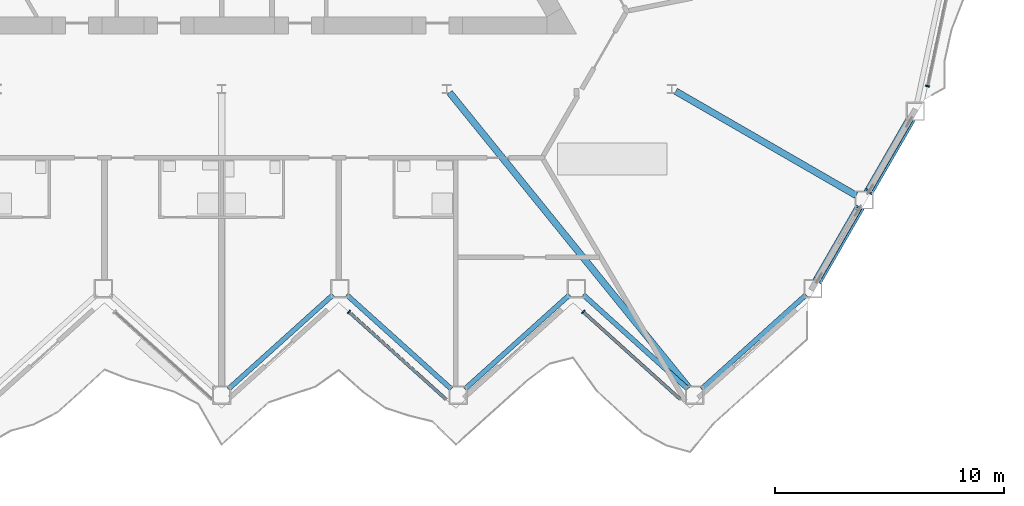
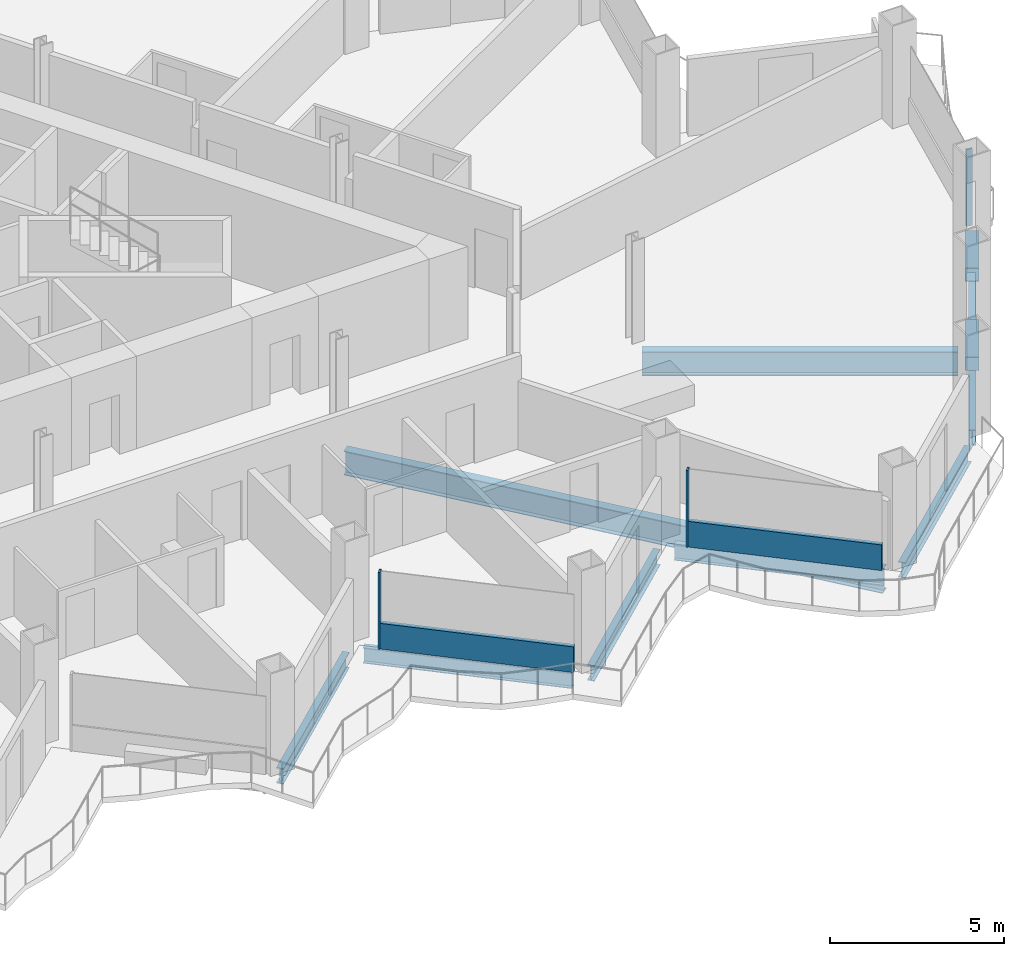
# One storey, part 5 of 23: 9 beams, 7 members, 3 elements without a shape of their own.
"""IFC4 building model written with IfcOpenShell, lengths in metres."""

from ifc_helpers import new_model, si_unit, direction, frame, origin, origin_2d, place, context, subcontext, project, spatial, rectangle, hollow_rectangle, i_section, extrude, material, layer, layer_set, material_profile, profile_set, type_object, element, aggregate, save


model = new_model("IFC4")

# Units and contexts
model_context = context("Model", 3, precision=1e-05, world=origin(), true_north=direction((0.0, 1.0)))
body_context = subcontext(model_context, "Body", "Model", "MODEL_VIEW")
ifc_project = project(units=[si_unit("LENGTHUNIT", "METRE"), si_unit("AREAUNIT", "SQUARE_METRE"), si_unit("VOLUMEUNIT", "CUBIC_METRE"), si_unit("PLANEANGLEUNIT", "RADIAN"), si_unit("MASSUNIT", "GRAM", prefix="KILO")], contexts=[model_context])

# Site, building, storey
site_placement = place(None, origin())
site = spatial("IfcSite", under=ifc_project, at=site_placement, CompositionType="ELEMENT")
building_placement = place(site_placement, origin())
building = spatial("IfcBuilding", under=site, at=building_placement, Name="Cormorant Prow Tower", CompositionType="ELEMENT")
storey_placement = place(building_placement, frame((0.0, 0.0, 176.39990234375)))
storey = spatial("IfcBuildingStorey", under=building, at=storey_placement, Name="L37", CompositionType="ELEMENT", Elevation=176.39990234375)

# Members
ifc_material_1 = material(Name="Structural steel ASTM A500 Gr C", Category="steel")
ifc_material_profile_1 = material_profile(ifc_material_1, hollow_rectangle(XDim=0.406494140625, YDim=0.406494140625, WallThickness=0.01171875, at=origin_2d()), Name="HSS16x16x1/2")
ifc_profile_set_1 = profile_set([ifc_material_profile_1], Name="Structural steel ASTM A500 Gr C")
member_type_1 = type_object("IfcMemberType", Name="Chamfer brace HSS16x16x1/2", PredefinedType="BRACE", material=ifc_profile_set_1)
member_1_placement = place(storey_placement, frame((27.850341796875, -16.56103515625, 0.740234375), z_axis=(-0.474017648602, -0.820985582338, 0.318260808783), x_axis=(0.866015628144, -0.500016931523, 0.0)))
element("IfcMember", 1, at=member_1_placement, inside=storey, type_object=member_type_1, Name="Chamfer brace BR2 at ESE00 L37", PredefinedType="BRACE", context=body_context, shape_type="SweptSolid", body=[
    extrude(hollow_rectangle(XDim=0.406494140625, YDim=0.406494140625, WallThickness=0.01171875, at=origin_2d()), origin(), (0.0, 0.0, 1.0), 3.83544921875),
])
member_2_placement = place(storey_placement, frame((30.08544921875, -12.689453125, 0.740234375), z_axis=(-0.473992878603, -0.821006330213, 0.318244177926), x_axis=(0.866032413668, -0.499987858329, 0.0)))
element("IfcMember", 2, at=member_2_placement, inside=storey, type_object=member_type_1, Name="Chamfer brace BR2 at ESE01 L37", PredefinedType="BRACE", context=body_context, shape_type="SweptSolid", body=[
    extrude(hollow_rectangle(XDim=0.406494140625, YDim=0.406494140625, WallThickness=0.01171875, at=origin_2d()), origin(), (0.0, 0.0, 1.0), 3.835693359375),
])

# Curtain wall, member
ifc_material_2 = material(Name="Aluminium 6063-T6", Category="aluminium")
ifc_layer = layer(ifc_material_2, 0.179931640625)
ifc_layer_set = layer_set([ifc_layer], Name="Aluminium 6063-T6")
curtain_wall_type = type_object("IfcCurtainWallType", Name="Hotel unitised curtain wall 180", PredefinedType="NOTDEFINED", material=ifc_layer_set)
curtain_wall_1_placement = place(storey_placement, origin())
curtain_wall_1 = element("IfcCurtainWall", 3, at=curtain_wall_1_placement, inside=storey, type_object=curtain_wall_type, Name="Hotel curtain wall S06", PredefinedType="NOTDEFINED")
ifc_material_3 = material(Name="Aluminium 6063-T6", Category="aluminium")
ifc_material_profile_2 = material_profile(ifc_material_3, rectangle(XDim=0.179931640625, YDim=0.06005859375, at=origin_2d()), Name="Hotel mullion 60x180")
ifc_profile_set_2 = profile_set([ifc_material_profile_2], Name="Aluminium 6063-T6")
member_type_2 = type_object("IfcMemberType", Name="Hotel mullion 60x180", PredefinedType="MULLION", material=ifc_profile_set_2)
member_3_placement = place(storey_placement, frame((5.56005859375, -21.08447265625, 0.0), z_axis=(0.0, 0.0, 1.0), x_axis=(0.669130488316, 0.743144931764, 0.0)))
member_3 = element("IfcMember", 4, at=member_3_placement, type_object=member_type_2, Name="Hotel mullion S06", PredefinedType="MULLION", context=body_context, shape_type="SweptSolid", body=[
    extrude(rectangle(XDim=0.179931640625, YDim=0.06005859375, at=origin_2d()), origin(), (0.0, 0.0, 1.0), 2.700927734375),
])

curtain_wall_2_placement = place(storey_placement, origin())
curtain_wall_2 = element("IfcCurtainWall", 5, at=curtain_wall_2_placement, inside=storey, type_object=curtain_wall_type, Name="Hotel curtain wall S08", PredefinedType="NOTDEFINED")
member_4_placement = place(storey_placement, frame((15.79150390625, -21.08447265625, 0.0), z_axis=(0.0, 0.0, 1.0), x_axis=(0.669130560548, 0.743144866726, 0.0)))
member_4 = element("IfcMember", 6, at=member_4_placement, type_object=member_type_2, Name="Hotel mullion S08", PredefinedType="MULLION", context=body_context, shape_type="SweptSolid", body=[
    extrude(rectangle(XDim=0.179931640625, YDim=0.06005859375, at=origin_2d()), origin(), (0.0, 0.0, 1.0), 2.700927734375),
])

curtain_wall_3_placement = place(storey_placement, origin())
curtain_wall_3 = element("IfcCurtainWall", 7, at=curtain_wall_3_placement, inside=storey, type_object=curtain_wall_type, Name="Hotel curtain wall ENE00", PredefinedType="NOTDEFINED")
member_5_placement = place(storey_placement, frame((30.826904296875, -11.224609375, 0.0), z_axis=(0.0, 0.0, 1.0), x_axis=(-0.978147592729, 0.207911728478, 0.0)))
member_5 = element("IfcMember", 8, at=member_5_placement, type_object=member_type_2, Name="Hotel mullion ENE00", PredefinedType="MULLION", context=body_context, shape_type="SweptSolid", body=[
    extrude(rectangle(XDim=0.179931640625, YDim=0.06005859375, at=origin_2d()), origin(), (0.0, 0.0, 1.0), 2.700927734375),
])
aggregate(curtain_wall_3, [member_5])

# Member
ifc_material_4 = material(Name="Terracotta", Category="masonry")
ifc_material_profile_3 = material_profile(ifc_material_4, rectangle(XDim=0.139892578125, YDim=0.89990234375, at=origin_2d()), Name="Hotel terracotta spandrel rail 140x900")
ifc_profile_set_3 = profile_set([ifc_material_profile_3], Name="Terracotta")
member_type_3 = type_object("IfcMemberType", Name="Hotel terracotta spandrel rail 140x900", PredefinedType="USERDEFINED", material=ifc_profile_set_3)
member_6_placement = place(storey_placement, frame((5.58251953125, -21.1044921875, 0.4501953125), z_axis=(0.743138320107, -0.669137831234, 0.0), x_axis=(0.669137831234, 0.743138320107, 0.0)))
member_6 = element("IfcMember", 9, at=member_6_placement, type_object=member_type_3, Name="Hotel spandrel rail S06", ObjectType="TRANSOM", PredefinedType="USERDEFINED", context=body_context, shape_type="SweptSolid", body=[
    extrude(rectangle(XDim=0.139892578125, YDim=0.89990234375, at=origin_2d()), origin(), (0.0, 0.0, 1.0), 5.687744140625),
])

aggregate(curtain_wall_1, [member_3, member_6])

member_7_placement = place(storey_placement, frame((15.813720703125, -21.1044921875, 0.4501953125), z_axis=(0.743157538086, -0.669116487307, 0.0), x_axis=(0.669116487307, 0.743157538086, 0.0)))
member_7 = element("IfcMember", 10, at=member_7_placement, type_object=member_type_3, Name="Hotel spandrel rail S08", ObjectType="TRANSOM", PredefinedType="USERDEFINED", context=body_context, shape_type="SweptSolid", body=[
    extrude(rectangle(XDim=0.139892578125, YDim=0.89990234375, at=origin_2d()), origin(), (0.0, 0.0, 1.0), 5.68798828125),
])

aggregate(curtain_wall_2, [member_4, member_7])

# Beams
ifc_material_5 = material(Name="Structural steel ASTM A992 Gr 50", Category="steel")
ifc_material_profile_4 = material_profile(ifc_material_5, i_section(OverallWidth=0.29296875, OverallDepth=0.845703125, WebThickness=0.015380859375, FlangeThickness=0.0244140625, at=origin_2d()), Name="W33x141")
ifc_profile_set_4 = profile_set([ifc_material_profile_4], Name="Structural steel ASTM A992 Gr 50")
beam_type_1 = type_object("IfcBeamType", Name="Radial floor beam W33x141", PredefinedType="BEAM", material=ifc_profile_set_4)
beam_1_placement = place(storey_placement, frame((9.95654296875, -11.50732421875, -0.772705078125), z_axis=(0.629385162657, -0.777093505974, 0.0), x_axis=(0.777093505974, 0.629385162657, 0.0)))
element("IfcBeam", 11, at=beam_1_placement, inside=storey, type_object=beam_type_1, Name="Radial floor beam FB2 8 L37", PredefinedType="BEAM", context=body_context, shape_type="SweptSolid", body=[
    extrude(i_section(OverallWidth=0.29296875, OverallDepth=0.845703125, WebThickness=0.015380859375, FlangeThickness=0.0244140625, at=origin_2d()), origin(), (0.0, 0.0, 1.0), 16.6044921875),
])
beam_2_placement = place(storey_placement, frame((19.833251953125, -11.45068359375, -0.772705078125), z_axis=(0.866023373109, -0.500003517217, 0.0), x_axis=(0.500003517217, 0.866023373109, 0.0)))
element("IfcBeam", 12, at=beam_2_placement, inside=storey, type_object=beam_type_1, Name="Radial floor beam FB2 9 L37", PredefinedType="BEAM", context=body_context, shape_type="SweptSolid", body=[
    extrude(i_section(OverallWidth=0.29296875, OverallDepth=0.845703125, WebThickness=0.015380859375, FlangeThickness=0.0244140625, at=origin_2d()), origin(), (0.0, 0.0, 1.0), 9.09814453125),
])
ifc_material_6 = material(Name="Structural steel ASTM A992 Gr 50", Category="steel")
ifc_material_profile_5 = material_profile(ifc_material_6, i_section(OverallWidth=0.2138671875, OverallDepth=0.549072265625, WebThickness=0.0146484375, FlangeThickness=0.023681640625, at=origin_2d()), Name="W21x93")
ifc_profile_set_5 = profile_set([ifc_material_profile_5], Name="Structural steel ASTM A992 Gr 50")
beam_type_2 = type_object("IfcBeamType", Name="Spandrel beam W21x93", PredefinedType="SPANDREL", material=ifc_profile_set_5)
beam_3_placement = place(storey_placement, frame((0.29736328125, -24.453857421875, -0.62451171875), z_axis=(0.743138178716, 0.669137988261, 0.0), x_axis=(-0.669137988261, 0.743138178716, 0.0)))
element("IfcBeam", 13, at=beam_3_placement, inside=storey, type_object=beam_type_2, Name="Spandrel beam SB2 S05-S06 L37", PredefinedType="SPANDREL", context=body_context, shape_type="SweptSolid", body=[
    extrude(i_section(OverallWidth=0.2138671875, OverallDepth=0.549072265625, WebThickness=0.0146484375, FlangeThickness=0.023681640625, at=origin_2d()), origin(), (0.0, 0.0, 1.0), 6.149658203125),
])
beam_4_placement = place(storey_placement, frame((5.4619140625, -20.3388671875, -0.62451171875), z_axis=(0.743155953285, -0.669118247469, 0.0), x_axis=(0.669118247469, 0.743155953285, 0.0)))
element("IfcBeam", 14, at=beam_4_placement, inside=storey, type_object=beam_type_2, Name="Spandrel beam SB2 S06-S07 L37", PredefinedType="SPANDREL", context=body_context, shape_type="SweptSolid", body=[
    extrude(i_section(OverallWidth=0.2138671875, OverallDepth=0.549072265625, WebThickness=0.0146484375, FlangeThickness=0.023681640625, at=origin_2d()), origin(), (0.0, 0.0, 1.0), 6.14990234375),
])
for number, where, z_axis, x_axis, name in (
    (15, (10.626708984375, -24.453857421875, -0.62451171875), (0.743138178716, 0.669137988261, 0.0), (-0.669137988261, 0.743138178716, 0.0), "Spandrel beam SB2 S07-S08 L37"),
    (16, (15.79150390625, -20.3388671875, -0.62451171875), (0.743138178716, -0.669137988261, 0.0), (0.669137988261, 0.743138178716, 0.0), "Spandrel beam SB2 S08-S09 L37"),
):
    element("IfcBeam", number, at=place(storey_placement, frame(where, z_axis=z_axis, x_axis=x_axis)), inside=storey, type_object=beam_type_2, Name=name, PredefinedType="SPANDREL", context=body_context, shape_type="SweptSolid", body=[
        extrude(i_section(OverallWidth=0.2138671875, OverallDepth=0.549072265625, WebThickness=0.0146484375, FlangeThickness=0.023681640625, at=origin_2d()), origin(), (0.0, 0.0, 1.0), 6.149658203125),
    ])
beam_5_placement = place(storey_placement, frame((20.9560546875, -24.453857421875, -0.62451171875), z_axis=(0.743155953285, 0.669118247469, 0.0), x_axis=(-0.669118247469, 0.743155953285, 0.0)))
element("IfcBeam", 17, at=beam_5_placement, inside=storey, type_object=beam_type_2, Name="Spandrel beam SB2 S09-ESE00 L37", PredefinedType="SPANDREL", context=body_context, shape_type="SweptSolid", body=[
    extrude(i_section(OverallWidth=0.2138671875, OverallDepth=0.549072265625, WebThickness=0.0146484375, FlangeThickness=0.023681640625, at=origin_2d()), origin(), (0.0, 0.0, 1.0), 6.14990234375),
])
for number, where, z_axis, x_axis, name in (
    (18, (26.023681640625, -19.724853515625, -0.62451171875), (0.499994986164, 0.866028298505, 0.0), (-0.866028298505, 0.499994986164, 0.0), "Spandrel beam SB2 ESE00-ESE01 L37"),
    (19, (28.2587890625, -15.853271484375, -0.62451171875), (0.499994986164, 0.866028298505, 0.0), (-0.866028298505, 0.499994986164, 0.0), "Spandrel beam SB2 ESE01-ENE00 L37"),
):
    element("IfcBeam", number, at=place(storey_placement, frame(where, z_axis=z_axis, x_axis=x_axis)), inside=storey, type_object=beam_type_2, Name=name, PredefinedType="SPANDREL", context=body_context, shape_type="SweptSolid", body=[
        extrude(i_section(OverallWidth=0.2138671875, OverallDepth=0.549072265625, WebThickness=0.0146484375, FlangeThickness=0.023681640625, at=origin_2d()), origin(), (0.0, 0.0, 1.0), 3.67041015625),
    ])

save(model, "model.ifc")
